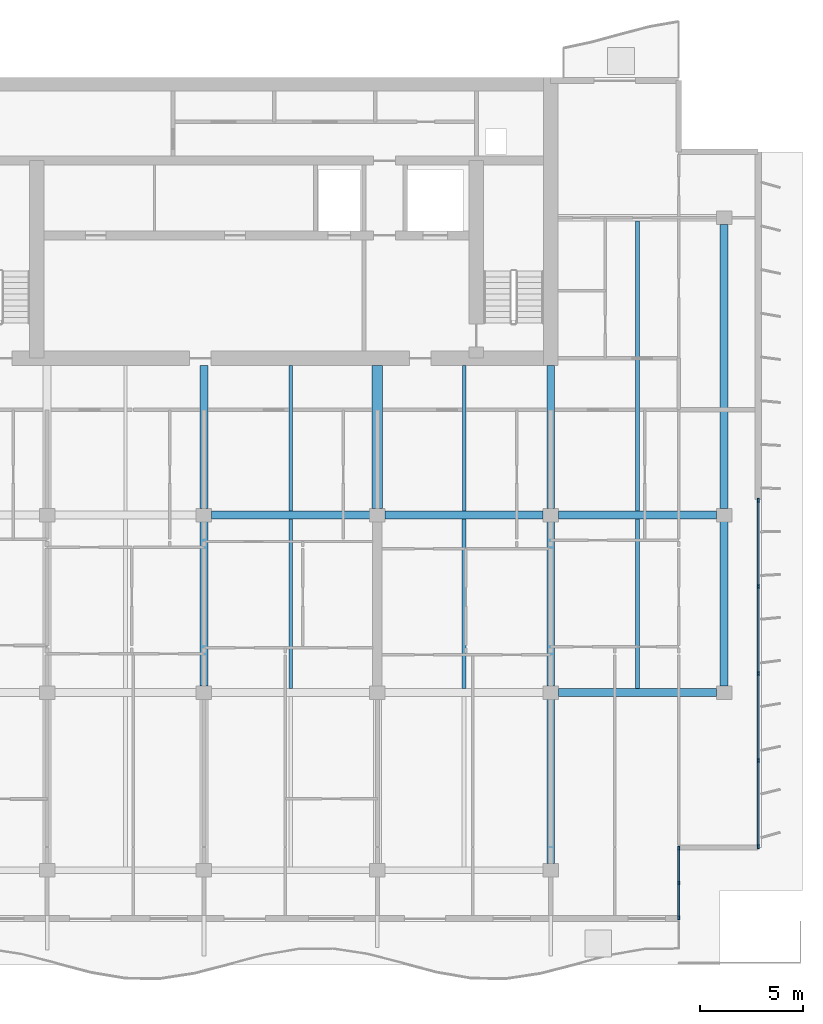
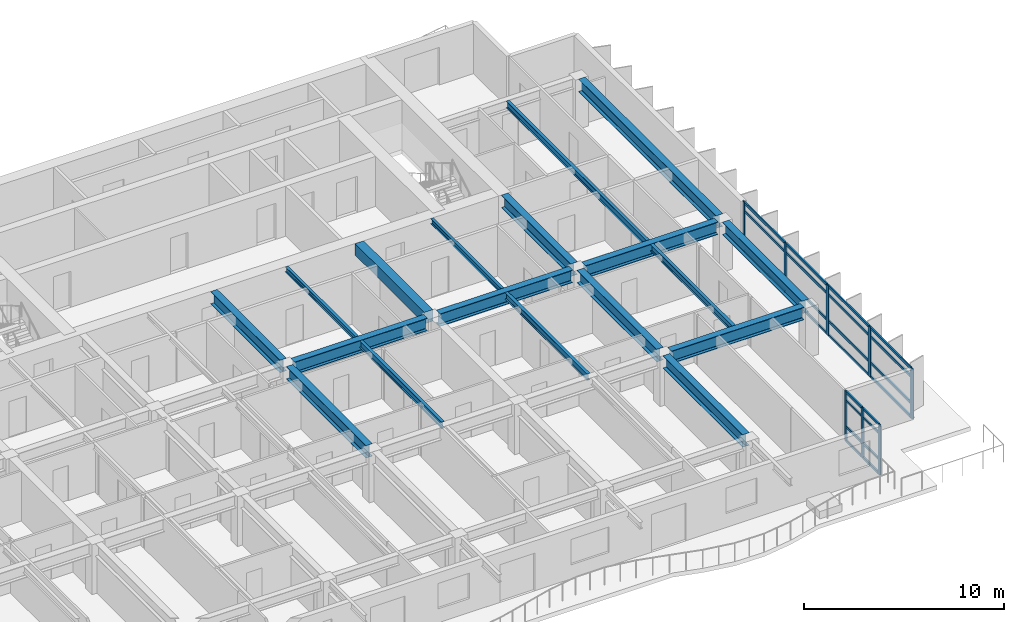
# One storey, part 4 of 17: 32 members, 18 beams, 2 elements without a shape of their own.
"""IFC4 building model written with IfcOpenShell, lengths in metres."""

from ifc_helpers import new_model, si_unit, direction, frame, origin, origin_2d, place, context, subcontext, project, spatial, rectangle, i_section, extrude, material, layer, layer_set, material_profile, profile_set, type_object, element, aggregate, save


model = new_model("IFC4")

# Units and contexts
model_context = context("Model", 3, precision=1e-05, world=origin(), true_north=direction((0.0, 1.0)))
body_context = subcontext(model_context, "Body", "Model", "MODEL_VIEW")
ifc_project = project(units=[si_unit("LENGTHUNIT", "METRE"), si_unit("AREAUNIT", "SQUARE_METRE"), si_unit("VOLUMEUNIT", "CUBIC_METRE"), si_unit("PLANEANGLEUNIT", "RADIAN"), si_unit("MASSUNIT", "GRAM", prefix="KILO")], contexts=[model_context])

# Site, building, storey
site_placement = place(None, origin())
site = spatial("IfcSite", under=ifc_project, at=site_placement, CompositionType="ELEMENT")
building_placement = place(site_placement, origin())
building = spatial("IfcBuilding", under=site, at=building_placement, Name="Caelmar Bay Residences", CompositionType="ELEMENT")
storey_placement = place(building_placement, frame((0.0, 0.0, 226.5)))
storey = spatial("IfcBuildingStorey", under=building, at=storey_placement, Name="L63", CompositionType="ELEMENT", Elevation=226.5)

# Beams
ifc_material_1 = material(Name="Steel ASTM A992 Grade 50", Category="steel")
ifc_material_profile_1 = material_profile(ifc_material_1, i_section(OverallWidth=0.177978515625, OverallDepth=0.406005859375, WebThickness=0.0078125, FlangeThickness=0.0126953125, FilletRadius=0.0087890625, at=origin_2d()), Name="W16X40")
ifc_profile_set_1 = profile_set([ifc_material_profile_1], Name="Steel ASTM A992 Grade 50")
beam_type_1 = type_object("IfcBeamType", Name="BM-BAL-W16X40", PredefinedType="JOIST", material=ifc_profile_set_1)
for number, where, z_axis, x_axis, name in (
    (1, (46.89990234375, 20.990478515625, 2.846923828125), (0.0, 1.0, 0.0), (-1.0, 0.0, 0.0), "L63 Composite Floor Joist 10"),
    (2, (55.300048828125, 20.990478515625, 2.846923828125), (0.0, 1.0, 0.0), (-1.0, 0.0, 0.0), "L63 Composite Floor Joist 11"),
    (3, (63.699951171875, 20.990478515625, 2.846923828125), (0.0, 1.0, 0.0), (-1.0, 0.0, 0.0), "L63 Composite Floor Joist 12"),
):
    element("IfcBeam", number, at=place(storey_placement, frame(where, z_axis=z_axis, x_axis=x_axis)), inside=storey, type_object=beam_type_1, Name=name, PredefinedType="JOIST", context=body_context, shape_type="SweptSolid", body=[
        extrude(i_section(OverallWidth=0.177978515625, OverallDepth=0.406005859375, WebThickness=0.0078125, FlangeThickness=0.0126953125, FilletRadius=0.0087890625, at=origin_2d()), origin(), (0.0, 0.0, 1.0), 8.218994140625),
    ])
beam_1_placement = place(storey_placement, frame((63.699951171875, 29.590576171875, 2.846923828125), z_axis=(0.0, 1.0, 0.0), x_axis=(-1.0, 0.0, 0.0)))
element("IfcBeam", 4, at=beam_1_placement, inside=storey, type_object=beam_type_1, Name="L63 Composite Floor Joist 19", PredefinedType="JOIST", context=body_context, shape_type="SweptSolid", body=[
    extrude(i_section(OverallWidth=0.177978515625, OverallDepth=0.406005859375, WebThickness=0.0078125, FlangeThickness=0.0126953125, FilletRadius=0.0087890625, at=origin_2d()), origin(), (0.0, 0.0, 1.0), 14.046875),
])
ifc_material_profile_2 = material_profile(ifc_material_1, i_section(OverallWidth=0.381103515625, OverallDepth=0.77197265625, WebThickness=0.0166015625, FlangeThickness=0.027099609375, FilletRadius=0.0166015625, at=origin_2d()), Name="W30X173")
ifc_profile_set_2 = profile_set([ifc_material_profile_2], Name="Steel ASTM A992 Grade 50")
beam_type_2 = type_object("IfcBeamType", Name="BM-GRD-W30X173", PredefinedType="BEAM", material=ifc_profile_set_2)
beam_2_placement = place(storey_placement, frame((59.864990234375, 20.800048828125, 2.6640625), z_axis=(1.0, 0.0, 0.0), x_axis=(0.0, 1.0, 0.0)))
element("IfcBeam", 5, at=beam_2_placement, inside=storey, type_object=beam_type_2, Name="L63 East-West Girder Y=20.80 (59.5-67.9)", PredefinedType="BEAM", context=body_context, shape_type="SweptSolid", body=[
    extrude(i_section(OverallWidth=0.381103515625, OverallDepth=0.77197265625, WebThickness=0.0166015625, FlangeThickness=0.027099609375, FilletRadius=0.0166015625, at=origin_2d()), origin(), (0.0, 0.0, 1.0), 7.669921875),
])
beam_3_placement = place(storey_placement, frame((43.06494140625, 29.39990234375, 2.6640625), z_axis=(1.0, 0.0, 0.0), x_axis=(0.0, 1.0, 0.0)))
element("IfcBeam", 6, at=beam_3_placement, inside=storey, type_object=beam_type_2, Name="L63 East-West Girder Y=29.40 (42.7-51.1)", PredefinedType="BEAM", context=body_context, shape_type="SweptSolid", body=[
    extrude(i_section(OverallWidth=0.381103515625, OverallDepth=0.77197265625, WebThickness=0.0166015625, FlangeThickness=0.027099609375, FilletRadius=0.0166015625, at=origin_2d()), origin(), (0.0, 0.0, 1.0), 7.670166015625),
])
for number, where, z_axis, x_axis, name in (
    (7, (51.465087890625, 29.39990234375, 2.6640625), (1.0, 0.0, 0.0), (0.0, 1.0, 0.0), "L63 East-West Girder Y=29.40 (51.1-59.5)"),
    (8, (59.864990234375, 29.39990234375, 2.6640625), (1.0, 0.0, 0.0), (0.0, 1.0, 0.0), "L63 East-West Girder Y=29.40 (59.5-67.9)"),
):
    element("IfcBeam", number, at=place(storey_placement, frame(where, z_axis=z_axis, x_axis=x_axis)), inside=storey, type_object=beam_type_2, Name=name, PredefinedType="BEAM", context=body_context, shape_type="SweptSolid", body=[
        extrude(i_section(OverallWidth=0.381103515625, OverallDepth=0.77197265625, WebThickness=0.0166015625, FlangeThickness=0.027099609375, FilletRadius=0.0166015625, at=origin_2d()), origin(), (0.0, 0.0, 1.0), 7.669921875),
    ])
beam_4_placement = place(storey_placement, frame((42.699951171875, 29.715087890625, 2.6640625), z_axis=(0.0, 1.0, 0.0), x_axis=(-1.0, 0.0, 0.0)))
element("IfcBeam", 9, at=beam_4_placement, inside=storey, type_object=beam_type_2, Name="L63 Core Tie Girder X=42.70", PredefinedType="BEAM", context=body_context, shape_type="SweptSolid", body=[
    extrude(i_section(OverallWidth=0.381103515625, OverallDepth=0.77197265625, WebThickness=0.0166015625, FlangeThickness=0.027099609375, FilletRadius=0.0166015625, at=origin_2d()), origin(), (0.0, 0.0, 1.0), 6.934814453125),
])
beam_5_placement = place(storey_placement, frame((42.699951171875, 21.114990234375, 2.6640625), z_axis=(0.0, 1.0, 0.0), x_axis=(-1.0, 0.0, 0.0)))
element("IfcBeam", 10, at=beam_5_placement, inside=storey, type_object=beam_type_2, Name="L63 North-South Girder X=42.70 (20.8-29.4)", PredefinedType="BEAM", context=body_context, shape_type="SweptSolid", body=[
    extrude(i_section(OverallWidth=0.381103515625, OverallDepth=0.77197265625, WebThickness=0.0166015625, FlangeThickness=0.027099609375, FilletRadius=0.0166015625, at=origin_2d()), origin(), (0.0, 0.0, 1.0), 7.969970703125),
])
beam_6_placement = place(storey_placement, frame((59.5, 29.715087890625, 2.6640625), z_axis=(0.0, 1.0, 0.0), x_axis=(-1.0, 0.0, 0.0)))
element("IfcBeam", 11, at=beam_6_placement, inside=storey, type_object=beam_type_2, Name="L63 Core Tie Girder X=59.50", PredefinedType="BEAM", context=body_context, shape_type="SweptSolid", body=[
    extrude(i_section(OverallWidth=0.381103515625, OverallDepth=0.77197265625, WebThickness=0.0166015625, FlangeThickness=0.027099609375, FilletRadius=0.0166015625, at=origin_2d()), origin(), (0.0, 0.0, 1.0), 6.934814453125),
])
beam_7_placement = place(storey_placement, frame((59.5, 12.514892578125, 2.6640625), z_axis=(0.0, 1.0, 0.0), x_axis=(-1.0, 0.0, 0.0)))
element("IfcBeam", 12, at=beam_7_placement, inside=storey, type_object=beam_type_2, Name="L63 North-South Girder X=59.50 (12.2-20.8)", PredefinedType="BEAM", context=body_context, shape_type="SweptSolid", body=[
    extrude(i_section(OverallWidth=0.381103515625, OverallDepth=0.77197265625, WebThickness=0.0166015625, FlangeThickness=0.027099609375, FilletRadius=0.0166015625, at=origin_2d()), origin(), (0.0, 0.0, 1.0), 7.97021484375),
])
for number, where, z_axis, x_axis, name in (
    (13, (59.5, 21.114990234375, 2.6640625), (0.0, 1.0, 0.0), (-1.0, 0.0, 0.0), "L63 North-South Girder X=59.50 (20.8-29.4)"),
    (14, (67.89990234375, 21.114990234375, 2.6640625), (0.0, 1.0, 0.0), (-1.0, 0.0, 0.0), "L63 North-South Girder X=67.90 (20.8-29.4)"),
):
    element("IfcBeam", number, at=place(storey_placement, frame(where, z_axis=z_axis, x_axis=x_axis)), inside=storey, type_object=beam_type_2, Name=name, PredefinedType="BEAM", context=body_context, shape_type="SweptSolid", body=[
        extrude(i_section(OverallWidth=0.381103515625, OverallDepth=0.77197265625, WebThickness=0.0166015625, FlangeThickness=0.027099609375, FilletRadius=0.0166015625, at=origin_2d()), origin(), (0.0, 0.0, 1.0), 7.969970703125),
    ])
beam_8_placement = place(storey_placement, frame((67.89990234375, 29.715087890625, 2.6640625), z_axis=(0.0, 1.0, 0.0), x_axis=(-1.0, 0.0, 0.0)))
element("IfcBeam", 15, at=beam_8_placement, inside=storey, type_object=beam_type_2, Name="L63 North-South Girder X=67.90 (29.4-43.8)", PredefinedType="BEAM", context=body_context, shape_type="SweptSolid", body=[
    extrude(i_section(OverallWidth=0.381103515625, OverallDepth=0.77197265625, WebThickness=0.0166015625, FlangeThickness=0.027099609375, FilletRadius=0.0166015625, at=origin_2d()), origin(), (0.0, 0.0, 1.0), 13.77001953125),
])
ifc_material_profile_3 = material_profile(ifc_material_1, i_section(OverallWidth=0.1650390625, OverallDepth=0.31005859375, WebThickness=0.005859375, FlangeThickness=0.009765625, FilletRadius=0.007568359375, at=origin_2d()), Name="W12X26")
ifc_profile_set_3 = profile_set([ifc_material_profile_3], Name="Steel ASTM A992 Grade 50")
beam_type_3 = type_object("IfcBeamType", Name="BM-JST-W12X26", PredefinedType="JOIST", material=ifc_profile_set_3)
for number, where, z_axis, x_axis, name in (
    (16, (46.89990234375, 29.590576171875, 2.89501953125), (0.0, 1.0, 0.0), (-1.0, 0.0, 0.0), "L63 Core-Band Composite Joist 16"),
    (17, (55.300048828125, 29.590576171875, 2.89501953125), (0.0, 1.0, 0.0), (-1.0, 0.0, 0.0), "L63 Core-Band Composite Joist 17"),
):
    element("IfcBeam", number, at=place(storey_placement, frame(where, z_axis=z_axis, x_axis=x_axis)), inside=storey, type_object=beam_type_3, Name=name, PredefinedType="JOIST", context=body_context, shape_type="SweptSolid", body=[
        extrude(i_section(OverallWidth=0.1650390625, OverallDepth=0.31005859375, WebThickness=0.005859375, FlangeThickness=0.009765625, FilletRadius=0.007568359375, at=origin_2d()), origin(), (0.0, 0.0, 1.0), 7.059326171875),
    ])
ifc_material_2 = material(Name="Concrete f'c 55 MPa (8,000 psi)", Category="concrete")
ifc_material_profile_4 = material_profile(ifc_material_2, rectangle(XDim=0.5, YDim=0.699951171875, at=origin_2d()), Name="RC-BM-500X700")
ifc_profile_set_4 = profile_set([ifc_material_profile_4], Name="Concrete f'c 55 MPa (8,000 psi)")
beam_type_4 = type_object("IfcBeamType", Name="BM-RC-500X700", PredefinedType="LINTEL", material=ifc_profile_set_4)
beam_9_placement = place(storey_placement, frame((51.10009765625, 29.715087890625, 2.699951171875), z_axis=(0.0, 1.0, 0.0), x_axis=(-1.0, 0.0, 0.0)))
element("IfcBeam", 18, at=beam_9_placement, inside=storey, type_object=beam_type_4, Name="L63 Shear-Wall Corridor Coupling Lintel E8", PredefinedType="LINTEL", context=body_context, shape_type="SweptSolid", body=[
    extrude(rectangle(XDim=0.5, YDim=0.699951171875, at=origin_2d()), origin(), (0.0, 0.0, 1.0), 6.934814453125),
])

# Curtain wall, members
ifc_material_3 = material(Name="Anodised bronze aluminium 6063-T6 and laminated glass", Category="aluminium")
ifc_layer_1 = layer(ifc_material_3, 0.179931640625)
ifc_layer_set_1 = layer_set([ifc_layer_1], Name="Anodised bronze aluminium 6063-T6 and laminated glass")
curtain_wall_type_1 = type_object("IfcCurtainWallType", Name="CW6-NTC", PredefinedType="NOTDEFINED", material=ifc_layer_set_1)
curtain_wall_1_placement = place(storey_placement, origin())
curtain_wall_1 = element("IfcCurtainWall", 19, at=curtain_wall_1_placement, inside=storey, type_object=curtain_wall_type_1, Name="CW6 curtain wall L63", PredefinedType="NOTDEFINED")
ifc_material_4 = material(Name="Anodised bronze aluminium 6063-T6", Category="aluminium")
ifc_material_profile_5 = material_profile(ifc_material_4, rectangle(XDim=0.080078125, YDim=0.179931640625, at=origin_2d()), Name="CWM-80X180")
ifc_profile_set_5 = profile_set([ifc_material_profile_5], Name="Anodised bronze aluminium 6063-T6")
member_type_1 = type_object("IfcMemberType", Name="CWM-180", PredefinedType="MULLION", material=ifc_profile_set_5)
member_1_placement = place(storey_placement, frame((65.699951171875, 9.889892578125, 0.0), z_axis=(0.0, 0.0, 1.0), x_axis=(-1.0, 0.0, 0.0)))
member_1 = element("IfcMember", 20, at=member_1_placement, type_object=member_type_1, Name="CW6 mullion 1", PredefinedType="MULLION", context=body_context, shape_type="SweptSolid", body=[
    extrude(rectangle(XDim=0.080078125, YDim=0.179931640625, at=origin_2d()), origin(), (0.0, 0.0, 1.0), 3.050048828125),
])
member_2_placement = place(storey_placement, frame((65.699951171875, 11.574951171875, 0.0), z_axis=(0.0, 0.0, 1.0), x_axis=(-1.0, 0.0, 0.0)))
member_2 = element("IfcMember", 21, at=member_2_placement, type_object=member_type_1, Name="CW6 mullion 2", PredefinedType="MULLION", context=body_context, shape_type="SweptSolid", body=[
    extrude(rectangle(XDim=0.080078125, YDim=0.179931640625, at=origin_2d()), origin(), (0.0, 0.0, 1.0), 3.050048828125),
])
member_3_placement = place(storey_placement, frame((65.699951171875, 13.260009765625, 0.0), z_axis=(0.0, 0.0, 1.0), x_axis=(-1.0, 0.0, 0.0)))
member_3 = element("IfcMember", 22, at=member_3_placement, type_object=member_type_1, Name="CW6 mullion 3", PredefinedType="MULLION", context=body_context, shape_type="SweptSolid", body=[
    extrude(rectangle(XDim=0.080078125, YDim=0.179931640625, at=origin_2d()), origin(), (0.0, 0.0, 1.0), 3.050048828125),
])

ifc_layer_2 = layer(ifc_material_3, 0.179931640625)
ifc_layer_set_2 = layer_set([ifc_layer_2], Name="Anodised bronze aluminium 6063-T6 and laminated glass")
curtain_wall_type_2 = type_object("IfcCurtainWallType", Name="CW5-Z4", PredefinedType="NOTDEFINED", material=ifc_layer_set_2)
curtain_wall_2_placement = place(storey_placement, origin())
curtain_wall_2 = element("IfcCurtainWall", 23, at=curtain_wall_2_placement, inside=storey, type_object=curtain_wall_type_2, Name="CW5 curtain wall L63", PredefinedType="NOTDEFINED")
ifc_material_profile_6 = material_profile(ifc_material_4, rectangle(XDim=0.080078125, YDim=0.219970703125, at=origin_2d()), Name="CWM-80X220")
ifc_profile_set_6 = profile_set([ifc_material_profile_6], Name="Anodised bronze aluminium 6063-T6")
member_type_2 = type_object("IfcMemberType", Name="CWM-220", PredefinedType="MULLION", material=ifc_profile_set_6)
member_4_placement = place(storey_placement, frame((69.550048828125, 30.110107421875, 0.0), z_axis=(0.0, 0.0, 1.0), x_axis=(1.0, 0.0, 0.0)))
member_4 = element("IfcMember", 24, at=member_4_placement, type_object=member_type_2, Name="CW5 mullion 1", PredefinedType="MULLION", context=body_context, shape_type="SweptSolid", body=[
    extrude(rectangle(XDim=0.080078125, YDim=0.219970703125, at=origin_2d()), origin(), (0.0, 0.0, 1.0), 3.050048828125),
])
member_5_placement = place(storey_placement, frame((69.550048828125, 25.9375, 0.0), z_axis=(0.0, 0.0, 1.0), x_axis=(1.0, 0.0, 0.0)))
member_5 = element("IfcMember", 25, at=member_5_placement, type_object=member_type_2, Name="CW5 mullion 2", PredefinedType="MULLION", context=body_context, shape_type="SweptSolid", body=[
    extrude(rectangle(XDim=0.080078125, YDim=0.219970703125, at=origin_2d()), origin(), (0.0, 0.0, 1.0), 3.050048828125),
])
member_6_placement = place(storey_placement, frame((69.550048828125, 21.72509765625, 0.0), z_axis=(0.0, 0.0, 1.0), x_axis=(1.0, 0.0, 0.0)))
member_6 = element("IfcMember", 26, at=member_6_placement, type_object=member_type_2, Name="CW5 mullion 3", PredefinedType="MULLION", context=body_context, shape_type="SweptSolid", body=[
    extrude(rectangle(XDim=0.080078125, YDim=0.219970703125, at=origin_2d()), origin(), (0.0, 0.0, 1.0), 3.050048828125),
])
member_7_placement = place(storey_placement, frame((69.550048828125, 17.512451171875, 0.0), z_axis=(0.0, 0.0, 1.0), x_axis=(1.0, 0.0, 0.0)))
member_7 = element("IfcMember", 27, at=member_7_placement, type_object=member_type_2, Name="CW5 mullion 4", PredefinedType="MULLION", context=body_context, shape_type="SweptSolid", body=[
    extrude(rectangle(XDim=0.080078125, YDim=0.219970703125, at=origin_2d()), origin(), (0.0, 0.0, 1.0), 3.050048828125),
])
member_8_placement = place(storey_placement, frame((69.550048828125, 13.340087890625, 0.0), z_axis=(0.0, 0.0, 1.0), x_axis=(1.0, 0.0, 0.0)))
member_8 = element("IfcMember", 28, at=member_8_placement, type_object=member_type_2, Name="CW5 mullion 5", PredefinedType="MULLION", context=body_context, shape_type="SweptSolid", body=[
    extrude(rectangle(XDim=0.080078125, YDim=0.219970703125, at=origin_2d()), origin(), (0.0, 0.0, 1.0), 3.050048828125),
])

# Member
ifc_material_profile_7 = material_profile(ifc_material_4, rectangle(XDim=0.080078125, YDim=0.139892578125, at=origin_2d()), Name="CWT-80X140")
ifc_profile_set_7 = profile_set([ifc_material_profile_7], Name="Anodised bronze aluminium 6063-T6")
member_type_3 = type_object("IfcMemberType", Name="CWT-140", PredefinedType="NOTDEFINED", material=ifc_profile_set_7)
member_9_placement = place(storey_placement, frame((65.699951171875, 9.929931640625, 0.0400390625), z_axis=(0.0, 1.0, 0.0), x_axis=(-1.0, 0.0, 0.0)))
member_9 = element("IfcMember", 29, at=member_9_placement, type_object=member_type_3, Name="CW6 transom 1.1", ObjectType="TRANSOM", PredefinedType="USERDEFINED", context=body_context, shape_type="SweptSolid", body=[
    extrude(rectangle(XDim=0.080078125, YDim=0.139892578125, at=origin_2d()), origin(), (0.0, 0.0, 1.0), 1.60498046875),
])

member_10_placement = place(storey_placement, frame((65.699951171875, 9.929931640625, 0.89990234375), z_axis=(0.0, 1.0, 0.0), x_axis=(-1.0, 0.0, 0.0)))
member_10 = element("IfcMember", 30, at=member_10_placement, type_object=member_type_3, Name="CW6 transom 1.2", ObjectType="TRANSOM", PredefinedType="USERDEFINED", context=body_context, shape_type="SweptSolid", body=[
    extrude(rectangle(XDim=0.080078125, YDim=0.139892578125, at=origin_2d()), origin(), (0.0, 0.0, 1.0), 1.60498046875),
])

member_11_placement = place(storey_placement, frame((65.699951171875, 9.929931640625, 2.5), z_axis=(0.0, 1.0, 0.0), x_axis=(-1.0, 0.0, 0.0)))
member_11 = element("IfcMember", 31, at=member_11_placement, type_object=member_type_3, Name="CW6 transom 1.3", ObjectType="TRANSOM", PredefinedType="USERDEFINED", context=body_context, shape_type="SweptSolid", body=[
    extrude(rectangle(XDim=0.080078125, YDim=0.139892578125, at=origin_2d()), origin(), (0.0, 0.0, 1.0), 1.60498046875),
])

member_12_placement = place(storey_placement, frame((65.699951171875, 9.929931640625, 3.010009765625), z_axis=(0.0, 1.0, 0.0), x_axis=(-1.0, 0.0, 0.0)))
member_12 = element("IfcMember", 32, at=member_12_placement, type_object=member_type_3, Name="CW6 transom 1.4", ObjectType="TRANSOM", PredefinedType="USERDEFINED", context=body_context, shape_type="SweptSolid", body=[
    extrude(rectangle(XDim=0.080078125, YDim=0.139892578125, at=origin_2d()), origin(), (0.0, 0.0, 1.0), 1.60498046875),
])

member_13_placement = place(storey_placement, frame((65.699951171875, 11.614990234375, 0.0400390625), z_axis=(0.0, 1.0, 0.0), x_axis=(-1.0, 0.0, 0.0)))
member_13 = element("IfcMember", 33, at=member_13_placement, type_object=member_type_3, Name="CW6 transom 2.1", ObjectType="TRANSOM", PredefinedType="USERDEFINED", context=body_context, shape_type="SweptSolid", body=[
    extrude(rectangle(XDim=0.080078125, YDim=0.139892578125, at=origin_2d()), origin(), (0.0, 0.0, 1.0), 1.60498046875),
])

member_14_placement = place(storey_placement, frame((65.699951171875, 11.614990234375, 0.89990234375), z_axis=(0.0, 1.0, 0.0), x_axis=(-1.0, 0.0, 0.0)))
member_14 = element("IfcMember", 34, at=member_14_placement, type_object=member_type_3, Name="CW6 transom 2.2", ObjectType="TRANSOM", PredefinedType="USERDEFINED", context=body_context, shape_type="SweptSolid", body=[
    extrude(rectangle(XDim=0.080078125, YDim=0.139892578125, at=origin_2d()), origin(), (0.0, 0.0, 1.0), 1.60498046875),
])

member_15_placement = place(storey_placement, frame((65.699951171875, 11.614990234375, 2.5), z_axis=(0.0, 1.0, 0.0), x_axis=(-1.0, 0.0, 0.0)))
member_15 = element("IfcMember", 35, at=member_15_placement, type_object=member_type_3, Name="CW6 transom 2.3", ObjectType="TRANSOM", PredefinedType="USERDEFINED", context=body_context, shape_type="SweptSolid", body=[
    extrude(rectangle(XDim=0.080078125, YDim=0.139892578125, at=origin_2d()), origin(), (0.0, 0.0, 1.0), 1.60498046875),
])

member_16_placement = place(storey_placement, frame((65.699951171875, 11.614990234375, 3.010009765625), z_axis=(0.0, 1.0, 0.0), x_axis=(-1.0, 0.0, 0.0)))
member_16 = element("IfcMember", 36, at=member_16_placement, type_object=member_type_3, Name="CW6 transom 2.4", ObjectType="TRANSOM", PredefinedType="USERDEFINED", context=body_context, shape_type="SweptSolid", body=[
    extrude(rectangle(XDim=0.080078125, YDim=0.139892578125, at=origin_2d()), origin(), (0.0, 0.0, 1.0), 1.60498046875),
])

aggregate(curtain_wall_1, [member_1, member_2, member_3, member_9, member_10, member_11, member_12, member_13, member_14, member_15, member_16])

ifc_material_profile_8 = material_profile(ifc_material_4, rectangle(XDim=0.080078125, YDim=0.159912109375, at=origin_2d()), Name="CWT-80X160")
ifc_profile_set_8 = profile_set([ifc_material_profile_8], Name="Anodised bronze aluminium 6063-T6")
member_type_4 = type_object("IfcMemberType", Name="CWT-160", PredefinedType="NOTDEFINED", material=ifc_profile_set_8)
member_17_placement = place(storey_placement, frame((69.550048828125, 30.070068359375, 0.0400390625), z_axis=(0.0, -1.0, 0.0), x_axis=(1.0, 0.0, 0.0)))
member_17 = element("IfcMember", 37, at=member_17_placement, type_object=member_type_4, Name="CW5 transom 1.1", ObjectType="TRANSOM", PredefinedType="USERDEFINED", context=body_context, shape_type="SweptSolid", body=[
    extrude(rectangle(XDim=0.080078125, YDim=0.159912109375, at=origin_2d()), origin(), (0.0, 0.0, 1.0), 4.092529296875),
])

member_18_placement = place(storey_placement, frame((69.550048828125, 30.070068359375, 0.89990234375), z_axis=(0.0, -1.0, 0.0), x_axis=(1.0, 0.0, 0.0)))
member_18 = element("IfcMember", 38, at=member_18_placement, type_object=member_type_4, Name="CW5 transom 1.2", ObjectType="TRANSOM", PredefinedType="USERDEFINED", context=body_context, shape_type="SweptSolid", body=[
    extrude(rectangle(XDim=0.080078125, YDim=0.159912109375, at=origin_2d()), origin(), (0.0, 0.0, 1.0), 4.092529296875),
])

member_19_placement = place(storey_placement, frame((69.550048828125, 30.070068359375, 2.5), z_axis=(0.0, -1.0, 0.0), x_axis=(1.0, 0.0, 0.0)))
member_19 = element("IfcMember", 39, at=member_19_placement, type_object=member_type_4, Name="CW5 transom 1.3", ObjectType="TRANSOM", PredefinedType="USERDEFINED", context=body_context, shape_type="SweptSolid", body=[
    extrude(rectangle(XDim=0.080078125, YDim=0.159912109375, at=origin_2d()), origin(), (0.0, 0.0, 1.0), 4.092529296875),
])

member_20_placement = place(storey_placement, frame((69.550048828125, 30.070068359375, 3.010009765625), z_axis=(0.0, -1.0, 0.0), x_axis=(1.0, 0.0, 0.0)))
member_20 = element("IfcMember", 40, at=member_20_placement, type_object=member_type_4, Name="CW5 transom 1.4", ObjectType="TRANSOM", PredefinedType="USERDEFINED", context=body_context, shape_type="SweptSolid", body=[
    extrude(rectangle(XDim=0.080078125, YDim=0.159912109375, at=origin_2d()), origin(), (0.0, 0.0, 1.0), 4.092529296875),
])

member_21_placement = place(storey_placement, frame((69.550048828125, 25.8974609375, 0.0400390625), z_axis=(0.0, -1.0, 0.0), x_axis=(1.0, 0.0, 0.0)))
member_21 = element("IfcMember", 41, at=member_21_placement, type_object=member_type_4, Name="CW5 transom 2.1", ObjectType="TRANSOM", PredefinedType="USERDEFINED", context=body_context, shape_type="SweptSolid", body=[
    extrude(rectangle(XDim=0.080078125, YDim=0.159912109375, at=origin_2d()), origin(), (0.0, 0.0, 1.0), 4.132568359375),
])

member_22_placement = place(storey_placement, frame((69.550048828125, 25.8974609375, 0.89990234375), z_axis=(0.0, -1.0, 0.0), x_axis=(1.0, 0.0, 0.0)))
member_22 = element("IfcMember", 42, at=member_22_placement, type_object=member_type_4, Name="CW5 transom 2.2", ObjectType="TRANSOM", PredefinedType="USERDEFINED", context=body_context, shape_type="SweptSolid", body=[
    extrude(rectangle(XDim=0.080078125, YDim=0.159912109375, at=origin_2d()), origin(), (0.0, 0.0, 1.0), 4.132568359375),
])

member_23_placement = place(storey_placement, frame((69.550048828125, 25.8974609375, 2.5), z_axis=(0.0, -1.0, 0.0), x_axis=(1.0, 0.0, 0.0)))
member_23 = element("IfcMember", 43, at=member_23_placement, type_object=member_type_4, Name="CW5 transom 2.3", ObjectType="TRANSOM", PredefinedType="USERDEFINED", context=body_context, shape_type="SweptSolid", body=[
    extrude(rectangle(XDim=0.080078125, YDim=0.159912109375, at=origin_2d()), origin(), (0.0, 0.0, 1.0), 4.132568359375),
])

member_24_placement = place(storey_placement, frame((69.550048828125, 25.8974609375, 3.010009765625), z_axis=(0.0, -1.0, 0.0), x_axis=(1.0, 0.0, 0.0)))
member_24 = element("IfcMember", 44, at=member_24_placement, type_object=member_type_4, Name="CW5 transom 2.4", ObjectType="TRANSOM", PredefinedType="USERDEFINED", context=body_context, shape_type="SweptSolid", body=[
    extrude(rectangle(XDim=0.080078125, YDim=0.159912109375, at=origin_2d()), origin(), (0.0, 0.0, 1.0), 4.132568359375),
])

member_25_placement = place(storey_placement, frame((69.550048828125, 21.68505859375, 0.0400390625), z_axis=(0.0, -1.0, 0.0), x_axis=(1.0, 0.0, 0.0)))
member_25 = element("IfcMember", 45, at=member_25_placement, type_object=member_type_4, Name="CW5 transom 3.1", ObjectType="TRANSOM", PredefinedType="USERDEFINED", context=body_context, shape_type="SweptSolid", body=[
    extrude(rectangle(XDim=0.080078125, YDim=0.159912109375, at=origin_2d()), origin(), (0.0, 0.0, 1.0), 4.132568359375),
])

member_26_placement = place(storey_placement, frame((69.550048828125, 21.68505859375, 0.89990234375), z_axis=(0.0, -1.0, 0.0), x_axis=(1.0, 0.0, 0.0)))
member_26 = element("IfcMember", 46, at=member_26_placement, type_object=member_type_4, Name="CW5 transom 3.2", ObjectType="TRANSOM", PredefinedType="USERDEFINED", context=body_context, shape_type="SweptSolid", body=[
    extrude(rectangle(XDim=0.080078125, YDim=0.159912109375, at=origin_2d()), origin(), (0.0, 0.0, 1.0), 4.132568359375),
])

member_27_placement = place(storey_placement, frame((69.550048828125, 21.68505859375, 2.5), z_axis=(0.0, -1.0, 0.0), x_axis=(1.0, 0.0, 0.0)))
member_27 = element("IfcMember", 47, at=member_27_placement, type_object=member_type_4, Name="CW5 transom 3.3", ObjectType="TRANSOM", PredefinedType="USERDEFINED", context=body_context, shape_type="SweptSolid", body=[
    extrude(rectangle(XDim=0.080078125, YDim=0.159912109375, at=origin_2d()), origin(), (0.0, 0.0, 1.0), 4.132568359375),
])

member_28_placement = place(storey_placement, frame((69.550048828125, 21.68505859375, 3.010009765625), z_axis=(0.0, -1.0, 0.0), x_axis=(1.0, 0.0, 0.0)))
member_28 = element("IfcMember", 48, at=member_28_placement, type_object=member_type_4, Name="CW5 transom 3.4", ObjectType="TRANSOM", PredefinedType="USERDEFINED", context=body_context, shape_type="SweptSolid", body=[
    extrude(rectangle(XDim=0.080078125, YDim=0.159912109375, at=origin_2d()), origin(), (0.0, 0.0, 1.0), 4.132568359375),
])

member_29_placement = place(storey_placement, frame((69.550048828125, 17.472412109375, 0.0400390625), z_axis=(0.0, -1.0, 0.0), x_axis=(1.0, 0.0, 0.0)))
member_29 = element("IfcMember", 49, at=member_29_placement, type_object=member_type_4, Name="CW5 transom 4.1", ObjectType="TRANSOM", PredefinedType="USERDEFINED", context=body_context, shape_type="SweptSolid", body=[
    extrude(rectangle(XDim=0.080078125, YDim=0.159912109375, at=origin_2d()), origin(), (0.0, 0.0, 1.0), 4.092529296875),
])

member_30_placement = place(storey_placement, frame((69.550048828125, 17.472412109375, 0.89990234375), z_axis=(0.0, -1.0, 0.0), x_axis=(1.0, 0.0, 0.0)))
member_30 = element("IfcMember", 50, at=member_30_placement, type_object=member_type_4, Name="CW5 transom 4.2", ObjectType="TRANSOM", PredefinedType="USERDEFINED", context=body_context, shape_type="SweptSolid", body=[
    extrude(rectangle(XDim=0.080078125, YDim=0.159912109375, at=origin_2d()), origin(), (0.0, 0.0, 1.0), 4.092529296875),
])

member_31_placement = place(storey_placement, frame((69.550048828125, 17.472412109375, 2.5), z_axis=(0.0, -1.0, 0.0), x_axis=(1.0, 0.0, 0.0)))
member_31 = element("IfcMember", 51, at=member_31_placement, type_object=member_type_4, Name="CW5 transom 4.3", ObjectType="TRANSOM", PredefinedType="USERDEFINED", context=body_context, shape_type="SweptSolid", body=[
    extrude(rectangle(XDim=0.080078125, YDim=0.159912109375, at=origin_2d()), origin(), (0.0, 0.0, 1.0), 4.092529296875),
])

member_32_placement = place(storey_placement, frame((69.550048828125, 17.472412109375, 3.010009765625), z_axis=(0.0, -1.0, 0.0), x_axis=(1.0, 0.0, 0.0)))
member_32 = element("IfcMember", 52, at=member_32_placement, type_object=member_type_4, Name="CW5 transom 4.4", ObjectType="TRANSOM", PredefinedType="USERDEFINED", context=body_context, shape_type="SweptSolid", body=[
    extrude(rectangle(XDim=0.080078125, YDim=0.159912109375, at=origin_2d()), origin(), (0.0, 0.0, 1.0), 4.092529296875),
])

aggregate(curtain_wall_2, [member_4, member_5, member_6, member_7, member_8, member_17, member_18, member_19, member_20, member_21, member_22, member_23, member_24, member_25, member_26, member_27, member_28, member_29, member_30, member_31, member_32])

save(model, "model.ifc")
